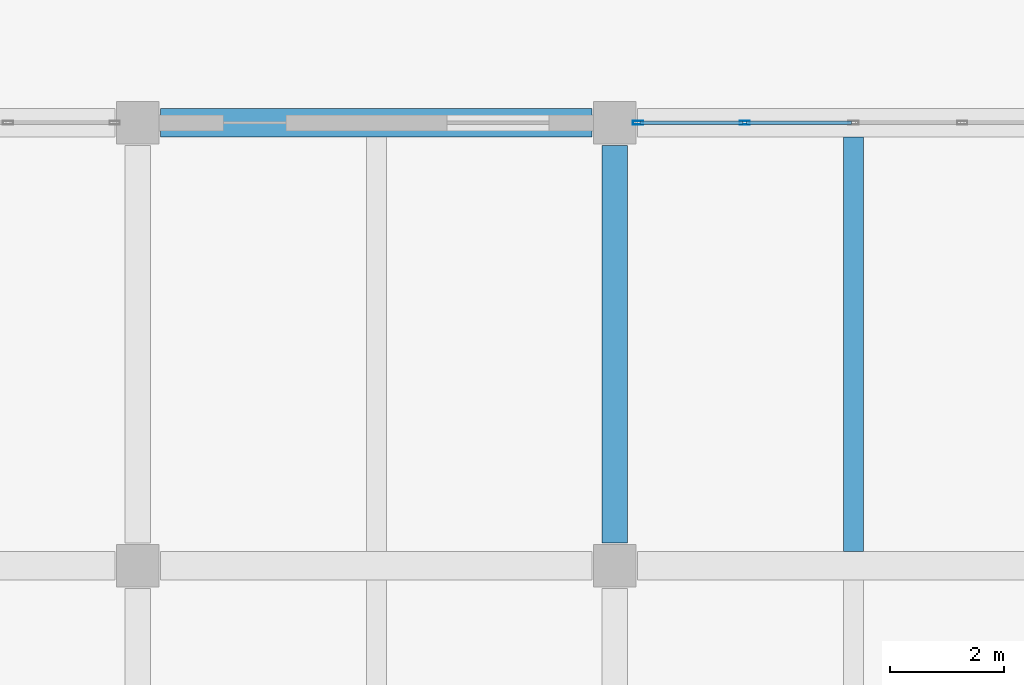
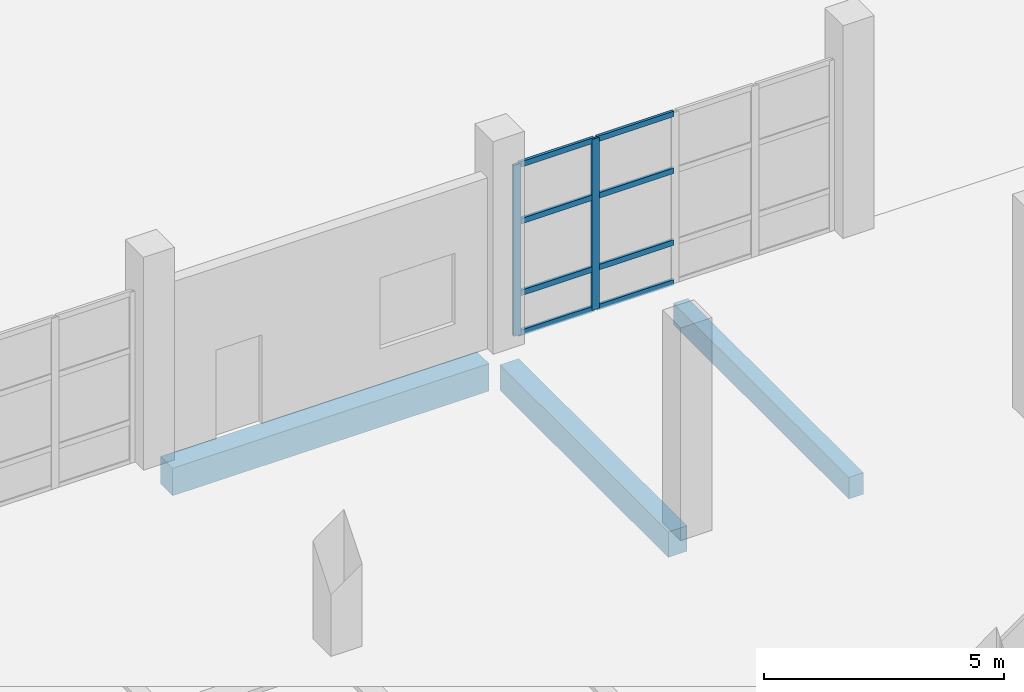
# One storey, part 16 of 78: 10 members, 3 beams, 1 element without a shape of its own.
"""IFC4 building model written with IfcOpenShell, lengths in metres."""

from ifc_helpers import new_model, si_unit, direction, frame, origin, origin_2d, place, context, subcontext, project, spatial, rectangle, hollow_rectangle, extrude, material, material_profile, profile_set, type_object, element, aggregate, save


model = new_model("IFC4")

# Units and contexts
model_context = context("Model", 3, precision=1e-05, world=origin(), true_north=direction((0.0, 1.0)))
body_context = subcontext(model_context, "Body", "Model", "MODEL_VIEW")
ifc_project = project(units=[si_unit("LENGTHUNIT", "METRE"), si_unit("AREAUNIT", "SQUARE_METRE"), si_unit("VOLUMEUNIT", "CUBIC_METRE"), si_unit("PLANEANGLEUNIT", "RADIAN"), si_unit("MASSUNIT", "GRAM", prefix="KILO")], contexts=[model_context])

# Site, building, storey
site_placement = place(None, origin())
site = spatial("IfcSite", under=ifc_project, at=site_placement, CompositionType="ELEMENT")
building_placement = place(site_placement, origin())
building = spatial("IfcBuilding", under=site, at=building_placement, Name="Pellamere Symphony Hall", CompositionType="ELEMENT")
storey_placement = place(building_placement, origin())
storey = spatial("IfcBuildingStorey", under=building, at=storey_placement, Name="L00", CompositionType="ELEMENT", Elevation=0.0)

# Curtain wall, members
ifc_material_1 = material(Name="Thermally Broken Anodised Aluminium 6063-T6 Curtain Wall", Category="aluminium")
curtain_wall_type = type_object("IfcCurtainWallType", Name="Curtain Wall CW-04 (Chamber Music Lobby Curtain Wall)", PredefinedType="NOTDEFINED", material=ifc_material_1)
curtain_wall_placement = place(storey_placement, origin())
curtain_wall = element("IfcCurtainWall", 1, at=curtain_wall_placement, inside=storey, type_object=curtain_wall_type, Name="Chamber Garden North Curtain Wall (L00 Bay 2)", PredefinedType="NOTDEFINED")
ifc_material_2 = material(Name="Anodised Architectural Aluminium 6063-T6", Category="aluminium")
ifc_material_profile_1 = material_profile(ifc_material_2, hollow_rectangle(XDim=0.06494140625, YDim=0.179931640625, WallThickness=0.00390625, at=origin_2d()), Name="ALU-M65X180X4")
ifc_profile_set_1 = profile_set([ifc_material_profile_1], Name="Anodised Architectural Aluminium 6063-T6")
member_type_1 = type_object("IfcMemberType", Name="Curtain Wall Mullion ML-02 ALU-M65X180X4", PredefinedType="MULLION", material=ifc_profile_set_1)
member_1_placement = place(storey_placement, frame((25.607421875, 54.0, 0.0), z_axis=(0.0, 0.0, 1.0), x_axis=(0.0, 1.0, 0.0)))
member_1 = element("IfcMember", 2, at=member_1_placement, type_object=member_type_1, Name="CW4N-113 crystal mullion 1", PredefinedType="MULLION", context=body_context, shape_type="SweptSolid", body=[
    extrude(hollow_rectangle(XDim=0.06494140625, YDim=0.179931640625, WallThickness=0.00390625, at=origin_2d()), origin(), (0.0, 0.0, 1.0), 4.340087890625),
])
member_2_placement = place(storey_placement, frame((27.487548828125, 54.0, 0.0), z_axis=(0.0, 0.0, 1.0), x_axis=(0.0, 1.0, 0.0)))
member_2 = element("IfcMember", 3, at=member_2_placement, type_object=member_type_1, Name="CW4N-113 crystal mullion 2", PredefinedType="MULLION", context=body_context, shape_type="SweptSolid", body=[
    extrude(hollow_rectangle(XDim=0.06494140625, YDim=0.179931640625, WallThickness=0.00390625, at=origin_2d()), origin(), (0.0, 0.0, 1.0), 4.340087890625),
])
ifc_material_profile_2 = material_profile(ifc_material_2, hollow_rectangle(XDim=0.06494140625, YDim=0.139892578125, WallThickness=0.00390625, at=origin_2d()), Name="ALU-T65X140X4")
ifc_profile_set_2 = profile_set([ifc_material_profile_2], Name="Anodised Architectural Aluminium 6063-T6")
member_type_2 = type_object("IfcMemberType", Name="Curtain Wall Transom TR-02 ALU-T65X140X4", PredefinedType="USERDEFINED", material=ifc_profile_set_2)
member_3_placement = place(storey_placement, frame((25.639892578125, 54.0, 0.032470703125), z_axis=(1.0, 0.0, 0.0), x_axis=(0.0, 1.0, 0.0)))
member_3 = element("IfcMember", 4, at=member_3_placement, type_object=member_type_2, Name="CW4N-113 crystal transom 1.1", ObjectType="TRANSOM", PredefinedType="USERDEFINED", context=body_context, shape_type="SweptSolid", body=[
    extrude(hollow_rectangle(XDim=0.06494140625, YDim=0.139892578125, WallThickness=0.00390625, at=origin_2d()), origin(), (0.0, 0.0, 1.0), 1.815185546875),
])
member_4_placement = place(storey_placement, frame((25.639892578125, 54.0, 1.04150390625), z_axis=(1.0, 0.0, 0.0), x_axis=(0.0, 1.0, 0.0)))
member_4 = element("IfcMember", 5, at=member_4_placement, type_object=member_type_2, Name="CW4N-113 crystal transom 1.2", ObjectType="TRANSOM", PredefinedType="USERDEFINED", context=body_context, shape_type="SweptSolid", body=[
    extrude(hollow_rectangle(XDim=0.06494140625, YDim=0.139892578125, WallThickness=0.00390625, at=origin_2d()), origin(), (0.0, 0.0, 1.0), 1.815185546875),
])
member_5_placement = place(storey_placement, frame((25.639892578125, 54.0, 2.864501953125), z_axis=(1.0, 0.0, 0.0), x_axis=(0.0, 1.0, 0.0)))
member_5 = element("IfcMember", 6, at=member_5_placement, type_object=member_type_2, Name="CW4N-113 crystal transom 1.3", ObjectType="TRANSOM", PredefinedType="USERDEFINED", context=body_context, shape_type="SweptSolid", body=[
    extrude(hollow_rectangle(XDim=0.06494140625, YDim=0.139892578125, WallThickness=0.00390625, at=origin_2d()), origin(), (0.0, 0.0, 1.0), 1.815185546875),
])
member_6_placement = place(storey_placement, frame((25.639892578125, 54.0, 4.3076171875), z_axis=(1.0, 0.0, 0.0), x_axis=(0.0, 1.0, 0.0)))
member_6 = element("IfcMember", 7, at=member_6_placement, type_object=member_type_2, Name="CW4N-113 crystal transom 1.4", ObjectType="TRANSOM", PredefinedType="USERDEFINED", context=body_context, shape_type="SweptSolid", body=[
    extrude(hollow_rectangle(XDim=0.06494140625, YDim=0.139892578125, WallThickness=0.00390625, at=origin_2d()), origin(), (0.0, 0.0, 1.0), 1.815185546875),
])
member_7_placement = place(storey_placement, frame((27.52001953125, 54.0, 0.032470703125), z_axis=(1.0, 0.0, 0.0), x_axis=(0.0, 1.0, 0.0)))
member_7 = element("IfcMember", 8, at=member_7_placement, type_object=member_type_2, Name="CW4N-113 crystal transom 2.1", ObjectType="TRANSOM", PredefinedType="USERDEFINED", context=body_context, shape_type="SweptSolid", body=[
    extrude(hollow_rectangle(XDim=0.06494140625, YDim=0.139892578125, WallThickness=0.00390625, at=origin_2d()), origin(), (0.0, 0.0, 1.0), 1.847412109375),
])
member_8_placement = place(storey_placement, frame((27.52001953125, 54.0, 1.04150390625), z_axis=(1.0, 0.0, 0.0), x_axis=(0.0, 1.0, 0.0)))
member_8 = element("IfcMember", 9, at=member_8_placement, type_object=member_type_2, Name="CW4N-113 crystal transom 2.2", ObjectType="TRANSOM", PredefinedType="USERDEFINED", context=body_context, shape_type="SweptSolid", body=[
    extrude(hollow_rectangle(XDim=0.06494140625, YDim=0.139892578125, WallThickness=0.00390625, at=origin_2d()), origin(), (0.0, 0.0, 1.0), 1.847412109375),
])
member_9_placement = place(storey_placement, frame((27.52001953125, 54.0, 2.864501953125), z_axis=(1.0, 0.0, 0.0), x_axis=(0.0, 1.0, 0.0)))
member_9 = element("IfcMember", 10, at=member_9_placement, type_object=member_type_2, Name="CW4N-113 crystal transom 2.3", ObjectType="TRANSOM", PredefinedType="USERDEFINED", context=body_context, shape_type="SweptSolid", body=[
    extrude(hollow_rectangle(XDim=0.06494140625, YDim=0.139892578125, WallThickness=0.00390625, at=origin_2d()), origin(), (0.0, 0.0, 1.0), 1.847412109375),
])
member_10_placement = place(storey_placement, frame((27.52001953125, 54.0, 4.3076171875), z_axis=(1.0, 0.0, 0.0), x_axis=(0.0, 1.0, 0.0)))
member_10 = element("IfcMember", 11, at=member_10_placement, type_object=member_type_2, Name="CW4N-113 crystal transom 2.4", ObjectType="TRANSOM", PredefinedType="USERDEFINED", context=body_context, shape_type="SweptSolid", body=[
    extrude(hollow_rectangle(XDim=0.06494140625, YDim=0.139892578125, WallThickness=0.00390625, at=origin_2d()), origin(), (0.0, 0.0, 1.0), 1.847412109375),
])
aggregate(curtain_wall, [member_1, member_2, member_3, member_4, member_5, member_6, member_7, member_8, member_9, member_10])

# Beams
ifc_material_3 = material(Name="Concrete 40 MPa", Category="concrete")
ifc_material_profile_3 = material_profile(ifc_material_3, rectangle(XDim=0.5, YDim=0.699951171875, at=origin_2d()), Name="RC 500x700")
ifc_profile_set_3 = profile_set([ifc_material_profile_3], Name="Concrete 40 MPa")
beam_type_1 = type_object("IfcBeamType", Name="RC CB-07 500x700", PredefinedType="BEAM", material=ifc_profile_set_3)
beam_1_placement = place(storey_placement, frame((17.199951171875, 54.0, -0.64990234375), z_axis=(1.0, 0.0, 0.0), x_axis=(0.0, 1.0, 0.0)))
element("IfcBeam", 12, at=beam_1_placement, inside=storey, type_object=beam_type_1, Name="Girder CB-07-X0112 (L00)", PredefinedType="BEAM", context=body_context, shape_type="SweptSolid", body=[
    extrude(rectangle(XDim=0.5, YDim=0.699951171875, at=origin_2d()), origin(), (0.0, 0.0, 1.0), 7.60009765625),
])
ifc_material_profile_4 = material_profile(ifc_material_3, rectangle(XDim=0.449951171875, YDim=0.64990234375, at=origin_2d()), Name="RC 450x650")
ifc_profile_set_4 = profile_set([ifc_material_profile_4], Name="Concrete 40 MPa")
beam_type_2 = type_object("IfcBeamType", Name="RC CB-08 450x650", PredefinedType="BEAM", material=ifc_profile_set_4)
beam_2_placement = place(storey_placement, frame((25.199951171875, 46.60009765625, -0.625), z_axis=(0.0, 1.0, 0.0), x_axis=(-1.0, 0.0, 0.0)))
element("IfcBeam", 13, at=beam_2_placement, inside=storey, type_object=beam_type_2, Name="Girder CB-08-Y0218 (L00)", PredefinedType="BEAM", context=body_context, shape_type="SweptSolid", body=[
    extrude(rectangle(XDim=0.449951171875, YDim=0.64990234375, at=origin_2d()), origin(), (0.0, 0.0, 1.0), 7.0),
])
ifc_material_4 = material(Name="Concrete 35 MPa", Category="concrete")
ifc_material_profile_5 = material_profile(ifc_material_4, rectangle(XDim=0.35009765625, YDim=0.550048828125, at=origin_2d()), Name="RC 350x550")
ifc_profile_set_5 = profile_set([ifc_material_profile_5], Name="Concrete 35 MPa")
beam_type_3 = type_object("IfcBeamType", Name="RC CB-10 350x550", PredefinedType="BEAM", material=ifc_profile_set_5)
beam_3_placement = place(storey_placement, frame((29.39990234375, 46.449951171875, -0.590087890625), z_axis=(0.0, 1.0, 0.0), x_axis=(-1.0, 0.0, 0.0)))
element("IfcBeam", 14, at=beam_3_placement, inside=storey, type_object=beam_type_3, Name="Secondary Floor Beam CB-10-M0306 (L00)", PredefinedType="BEAM", context=body_context, shape_type="SweptSolid", body=[
    extrude(rectangle(XDim=0.35009765625, YDim=0.550048828125, at=origin_2d()), origin(), (0.0, 0.0, 1.0), 7.300048828125),
])

save(model, "model.ifc")
